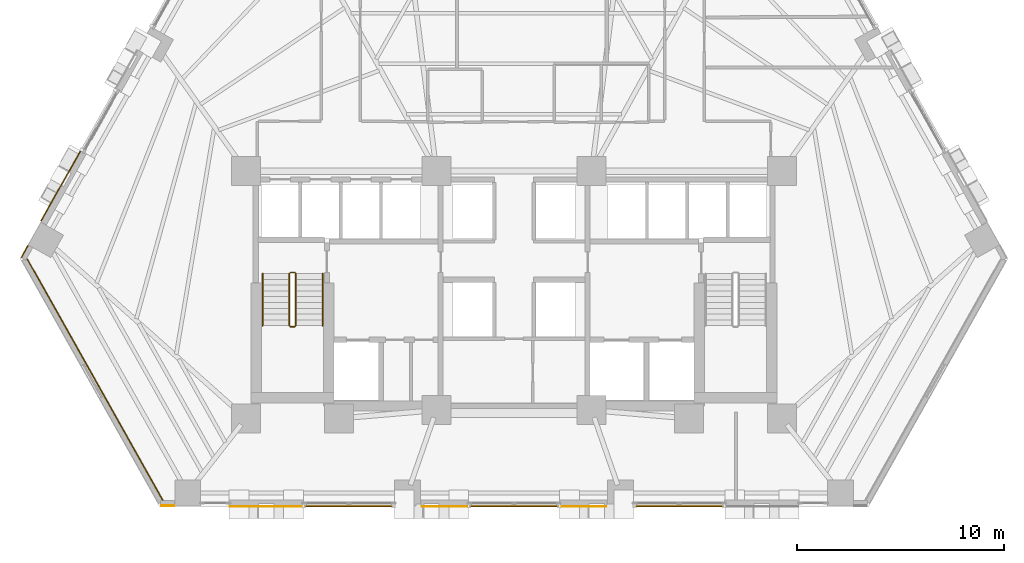
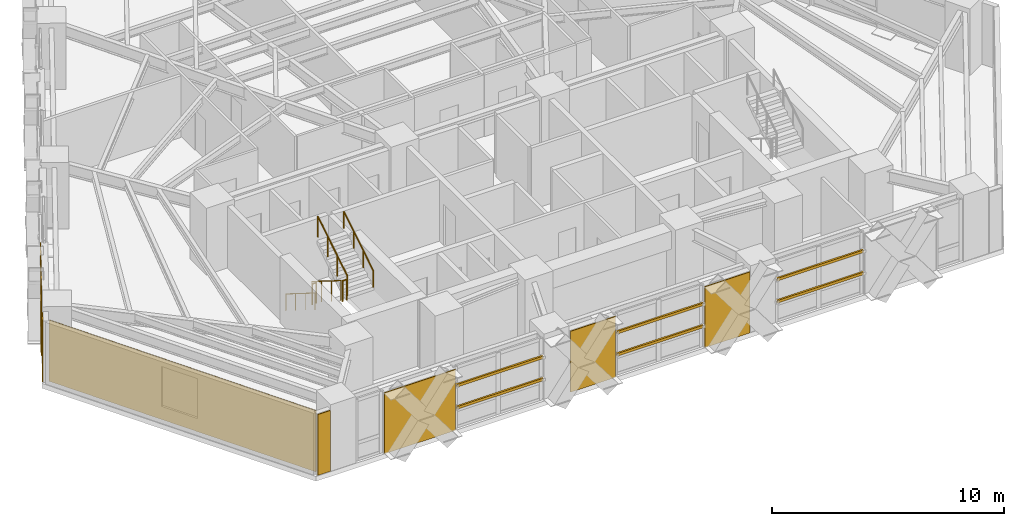
# One storey, part 10 of 13: 7 coverings, 6 railings, 6 shading devices.
"""IFC4 building model written with IfcOpenShell, lengths in metres."""

from ifc_helpers import new_model, si_unit, direction, frame, origin, origin_2d, place, context, subcontext, project, spatial, polyline, rectangle, circle, outline, extrude, material, layer, layer_set, material_profile, profile_set, type_object, element, save


model = new_model("IFC4")

# Units and contexts
model_context = context("Model", 3, precision=1e-05, world=origin(), true_north=direction((0.0, 1.0)))
body_context = subcontext(model_context, "Body", "Model", "MODEL_VIEW")
ifc_project = project(units=[si_unit("LENGTHUNIT", "METRE"), si_unit("AREAUNIT", "SQUARE_METRE"), si_unit("VOLUMEUNIT", "CUBIC_METRE"), si_unit("PLANEANGLEUNIT", "RADIAN"), si_unit("MASSUNIT", "GRAM", prefix="KILO")], contexts=[model_context])

# Site, building, storey
site_placement = place(None, origin())
site = spatial("IfcSite", under=ifc_project, at=site_placement, CompositionType="ELEMENT")
building_placement = place(site_placement, origin())
building = spatial("IfcBuilding", under=site, at=building_placement, Name="Quenlor Broadcast Tower", CompositionType="ELEMENT")
storey_placement = place(building_placement, frame((0.0, 0.0, 62.60009765625)))
storey = spatial("IfcBuildingStorey", under=building, at=storey_placement, Name="L16", CompositionType="ELEMENT", Elevation=62.60009765625)

# Shading devices
ifc_material_1 = material(Name="Architectural Terracotta Ceramic", Category="masonry")
ifc_material_profile = material_profile(ifc_material_1, rectangle(XDim=0.090087890625, YDim=0.139892578125, at=origin_2d()))
ifc_profile_set = profile_set([ifc_material_profile], Name="Architectural Terracotta Ceramic BAG90x140")
shading_device_type = type_object("IfcShadingDeviceType", Name="Copper Terracotta Baguette Solar Screen 140", PredefinedType="USERDEFINED", material=ifc_profile_set)
for number, where, z_axis, x_axis, name in (
    (1, (10.134765625, -20.98291015625, 1.169921875), (-1.0, 0.0, 0.0), (0.0, -1.0, 0.0), "L16 Terracotta Baguette Screen 1"),
    (2, (10.134765625, -20.98291015625, 2.33984375), (-1.0, 0.0, 0.0), (0.0, -1.0, 0.0), "L16 Terracotta Baguette Screen 2"),
    (3, (-5.830810546875, -20.98291015625, 1.169921875), (-1.0, 0.0, 0.0), (0.0, -1.0, 0.0), "L16 Terracotta Baguette Screen 1"),
    (4, (-5.830810546875, -20.98291015625, 2.33984375), (-1.0, 0.0, 0.0), (0.0, -1.0, 0.0), "L16 Terracotta Baguette Screen 2"),
):
    element("IfcShadingDevice", number, at=place(storey_placement, frame(where, z_axis=z_axis, x_axis=x_axis)), inside=storey, type_object=shading_device_type, Name=name, ObjectType="BAGUETTE", PredefinedType="USERDEFINED", context=body_context, shape_type="SweptSolid", body=[
        extrude(rectangle(XDim=0.090087890625, YDim=0.139892578125, at=origin_2d()), origin(), (0.0, 0.0, 1.0), 4.303955078125),
    ])
for number, where, z_axis, x_axis, name in (
    (5, (2.154296875, -20.98291015625, 1.169921875), (-1.0, 0.0, 0.0), (0.0, -1.0, 0.0), "L16 Terracotta Baguette Screen 1"),
    (6, (2.154296875, -20.98291015625, 2.33984375), (-1.0, 0.0, 0.0), (0.0, -1.0, 0.0), "L16 Terracotta Baguette Screen 2"),
):
    element("IfcShadingDevice", number, at=place(storey_placement, frame(where, z_axis=z_axis, x_axis=x_axis)), inside=storey, type_object=shading_device_type, Name=name, ObjectType="BAGUETTE", PredefinedType="USERDEFINED", context=body_context, shape_type="SweptSolid", body=[
        extrude(rectangle(XDim=0.090087890625, YDim=0.139892578125, at=origin_2d()), origin(), (0.0, 0.0, 1.0), 4.30859375),
    ])

# Coverings
ifc_material_2 = material(Name="Architectural Terracotta Ceramic", Category="masonry")
ifc_layer = layer(ifc_material_2, 0.044921875)
ifc_layer_set = layer_set([ifc_layer], Name="Fluted Terracotta Rainscreen Cladding Panel")
covering_type = type_object("IfcCoveringType", Name="Fluted Terracotta Rainscreen Cladding Panel", PredefinedType="CLADDING", material=ifc_layer_set)
covering_1_placement = place(storey_placement, frame((0.0, 0.0, 0.02001953125)))
element("IfcCovering", 7, at=covering_1_placement, inside=storey, type_object=covering_type, Name="L16 Terracotta Rainscreen Cladding L16-SHD-SS1", PredefinedType="CLADDING", context=body_context, shape_type="SweptSolid", body=[
    extrude(outline(polyline([(-16.425048828125, -20.951904296875), (-17.0458984375, -20.951904296875), (-17.0458984375, -20.9970703125), (-16.425048828125, -20.9970703125), (-16.425048828125, -20.951904296875)])), origin(), (0.0, 0.0, 1.0), 3.2099609375),
])
covering_2_placement = place(storey_placement, frame((0.0, 0.0, 0.02001953125)))
element("IfcCovering", 8, at=covering_2_placement, inside=storey, type_object=covering_type, Name="L16 Terracotta Rainscreen Cladding L16-SC-SP1", PredefinedType="CLADDING", context=body_context, shape_type="SweptSolid", body=[
    extrude(outline(polyline([(-10.20458984375, -20.98193359375), (-13.73681640625, -20.98193359375), (-13.73681640625, -21.027099609375), (-10.20458984375, -21.027099609375), (-10.20458984375, -20.98193359375)])), origin(), (0.0, 0.0, 1.0), 3.2099609375),
])
covering_3_placement = place(storey_placement, frame((0.0, 0.0, 0.02001953125)))
element("IfcCovering", 9, at=covering_3_placement, inside=storey, type_object=covering_type, Name="L16 Terracotta Rainscreen Cladding L16-S-SP1", PredefinedType="CLADDING", context=body_context, shape_type="SweptSolid", body=[
    extrude(outline(polyline([(4.4658203125, -20.98193359375), (2.22412109375, -20.98193359375), (2.22412109375, -21.027099609375), (4.4658203125, -21.027099609375), (4.4658203125, -20.98193359375)])), origin(), (0.0, 0.0, 1.0), 3.2099609375),
])
covering_4_placement = place(storey_placement, frame((0.0, 0.0, 0.02001953125)))
element("IfcCovering", 10, at=covering_4_placement, inside=storey, type_object=covering_type, Name="L16 Terracotta Rainscreen Cladding L16-S-SP2", PredefinedType="CLADDING", context=body_context, shape_type="SweptSolid", body=[
    extrude(outline(polyline([(-2.22412109375, -20.98193359375), (-4.4658203125, -20.98193359375), (-4.4658203125, -21.027099609375), (-2.22412109375, -21.027099609375), (-2.22412109375, -20.98193359375)])), origin(), (0.0, 0.0, 1.0), 3.2099609375),
])
covering_5_placement = place(storey_placement, frame((0.0, 0.0, 0.02001953125)))
element("IfcCovering", 11, at=covering_5_placement, inside=storey, type_object=covering_type, Name="L16 Terracotta Rainscreen Cladding L16-SHD-NWS0", PredefinedType="CLADDING", context=body_context, shape_type="SweptSolid", body=[
    extrude(outline(polyline([(-23.781982421875, -8.97705078125), (-23.464111328125, -8.412109375), (-23.50341796875, -8.39013671875), (-23.8212890625, -8.955078125), (-23.781982421875, -8.97705078125)])), origin(), (0.0, 0.0, 1.0), 3.2099609375),
])
covering_6_placement = place(storey_placement, frame((0.0, 0.0, 0.02001953125)))
element("IfcCovering", 12, at=covering_6_placement, inside=storey, type_object=covering_type, Name="L16 Terracotta Rainscreen Cladding L16-NWA-SP1", PredefinedType="CLADDING", context=body_context, shape_type="SweptSolid", body=[
    extrude(outline(polyline([(-22.83349609375, -7.2294921875), (-20.9228515625, -3.8330078125), (-20.962158203125, -3.81103515625), (-22.872802734375, -7.20751953125), (-22.83349609375, -7.2294921875)])), origin(), (0.0, 0.0, 1.0), 3.2099609375),
])
covering_7_placement = place(storey_placement, frame((0.0, 0.0, 0.02001953125)))
element("IfcCovering", 13, at=covering_7_placement, inside=storey, type_object=covering_type, Name="L16 Terracotta Rainscreen Cladding L16-CNR-04", PredefinedType="CLADDING", context=body_context, shape_type="SweptSolid", body=[
    extrude(outline(polyline([(-23.547607421875, -9.046875), (-16.98388671875, -20.71533203125), (-16.94482421875, -20.693359375), (-23.50830078125, -9.02490234375), (-23.547607421875, -9.046875)])), origin(), (0.0, 0.0, 1.0), 3.2099609375),
])

# Railings
ifc_material_3 = material(Name="Anodised Aluminium", Category="aluminium")
railing_type_1 = type_object("IfcRailingType", Name="Stainless Aluminium Wall Handrail 900", PredefinedType="HANDRAIL", material=ifc_material_3)
railing_1_placement = place(storey_placement, frame((-12.14990234375, -9.75, 0.1748046875)))
element("IfcRailing", 14, at=railing_1_placement, inside=storey, type_object=railing_type_1, Name="L16 ST-1 stair handrail 1", PredefinedType="HANDRAIL", context=body_context, shape_type="SweptSolid", body=[
    extrude(circle(Radius=0.02392578125, at=origin_2d()), frame((0.0, 0.0, 0.8759765625), z_axis=(0.0, -0.847970611238, 0.530043245855), x_axis=(1.0, 0.0, 0.0)), (0.0, 0.0, 1.0), 2.971923828125),
    extrude(circle(Radius=0.02099609375, at=origin_2d()), origin(), (0.0, 0.0, 1.0), 0.851806640625),
    extrude(circle(Radius=0.02099609375, at=origin_2d()), frame((0.0, -0.840087890625, 0.525146484375)), (0.0, 0.0, 1.0), 0.851806640625),
    extrude(circle(Radius=0.02099609375, at=origin_2d()), frame((0.0, -1.679931640625, 1.050048828125)), (0.0, 0.0, 1.0), 0.851806640625),
    extrude(circle(Radius=0.02099609375, at=origin_2d()), frame((0.0, -2.52001953125, 1.5751953125)), (0.0, 0.0, 1.0), 0.851806640625),
])
railing_2_placement = place(storey_placement, frame((-9.25, -12.27001953125, 1.9248046875)))
element("IfcRailing", 15, at=railing_2_placement, inside=storey, type_object=railing_type_1, Name="L16 ST-1 stair handrail 2", PredefinedType="HANDRAIL", context=body_context, shape_type="SweptSolid", body=[
    extrude(circle(Radius=0.02392578125, at=origin_2d()), frame((0.0, 0.0, 0.8759765625), z_axis=(0.0, 0.847970611238, 0.530043245855), x_axis=(-1.0, 0.0, 0.0)), (0.0, 0.0, 1.0), 2.971923828125),
    extrude(circle(Radius=0.02099609375, at=origin_2d()), origin(), (0.0, 0.0, 1.0), 0.851806640625),
    extrude(circle(Radius=0.02099609375, at=origin_2d()), frame((0.0, 0.840087890625, 0.525146484375)), (0.0, 0.0, 1.0), 0.851806640625),
    extrude(circle(Radius=0.02099609375, at=origin_2d()), frame((0.0, 1.679931640625, 1.050048828125)), (0.0, 0.0, 1.0), 0.851806640625),
    extrude(circle(Radius=0.02099609375, at=origin_2d()), frame((0.0, 2.52001953125, 1.5751953125)), (0.0, 0.0, 1.0), 0.851806640625),
])
ifc_material_4 = material(Name="Steel S355", Category="steel")
railing_type_2 = type_object("IfcRailingType", Name="Tubular Steel S355 Stair Guardrail 1100", PredefinedType="BALUSTRADE", material=ifc_material_4)
railing_3_placement = place(storey_placement, frame((-10.85009765625, -9.75, 0.1748046875)))
element("IfcRailing", 16, at=railing_3_placement, inside=storey, type_object=railing_type_2, Name="L16 ST-1 stair guard 1", PredefinedType="BALUSTRADE", context=body_context, shape_type="SweptSolid", body=[
    extrude(circle(Radius=0.02392578125, at=origin_2d()), frame((0.0, 0.0, 1.076171875), z_axis=(0.0, -0.847970611238, 0.530043245855), x_axis=(1.0, 0.0, 0.0)), (0.0, 0.0, 1.0), 2.971923828125),
    extrude(circle(Radius=0.02099609375, at=origin_2d()), origin(), (0.0, 0.0, 1.0), 1.052001953125),
    extrude(circle(Radius=0.02099609375, at=origin_2d()), frame((0.0, -0.840087890625, 0.525146484375)), (0.0, 0.0, 1.0), 1.052001953125),
    extrude(circle(Radius=0.02099609375, at=origin_2d()), frame((0.0, -1.679931640625, 1.050048828125)), (0.0, 0.0, 1.0), 1.052001953125),
    extrude(circle(Radius=0.02099609375, at=origin_2d()), frame((0.0, -2.52001953125, 1.5751953125)), (0.0, 0.0, 1.0), 1.052001953125),
])
railing_4_placement = place(storey_placement, frame((-10.800048828125, -12.320068359375, 1.75)))
element("IfcRailing", 17, at=railing_4_placement, inside=storey, type_object=railing_type_2, Name="L16 ST-1 stair guard 2", PredefinedType="BALUSTRADE", context=body_context, shape_type="SweptSolid", body=[
    extrude(circle(Radius=0.02392578125, at=origin_2d()), frame((0.0, 0.0, 1.076171875), z_axis=(1.0, 0.0, 0.0), x_axis=(0.0, 1.0, 0.0)), (0.0, 0.0, 1.0), 0.199951171875),
    extrude(circle(Radius=0.02099609375, at=origin_2d()), origin(), (0.0, 0.0, 1.0), 1.052001953125),
    extrude(circle(Radius=0.02099609375, at=origin_2d()), frame((0.199951171875, 0.0, 0.0)), (0.0, 0.0, 1.0), 1.052001953125),
])
railing_5_placement = place(storey_placement, frame((-10.550048828125, -12.27001953125, 1.9248046875)))
element("IfcRailing", 18, at=railing_5_placement, inside=storey, type_object=railing_type_2, Name="L16 ST-1 stair guard 3", PredefinedType="BALUSTRADE", context=body_context, shape_type="SweptSolid", body=[
    extrude(circle(Radius=0.02392578125, at=origin_2d()), frame((0.0, 0.0, 1.076171875), z_axis=(0.0, 0.847970611238, 0.530043245855), x_axis=(-1.0, 0.0, 0.0)), (0.0, 0.0, 1.0), 2.971923828125),
    extrude(circle(Radius=0.02099609375, at=origin_2d()), origin(), (0.0, 0.0, 1.0), 1.052001953125),
    extrude(circle(Radius=0.02099609375, at=origin_2d()), frame((0.0, 0.840087890625, 0.525146484375)), (0.0, 0.0, 1.0), 1.052001953125),
    extrude(circle(Radius=0.02099609375, at=origin_2d()), frame((0.0, 1.679931640625, 1.050048828125)), (0.0, 0.0, 1.0), 1.052001953125),
    extrude(circle(Radius=0.02099609375, at=origin_2d()), frame((0.0, 2.52001953125, 1.5751953125)), (0.0, 0.0, 1.0), 1.052001953125),
])
railing_6_placement = place(storey_placement, frame((-10.800048828125, -9.699951171875, 0.0)))
element("IfcRailing", 19, at=railing_6_placement, inside=storey, type_object=railing_type_2, Name="L16 ST-1 stair guard 4", PredefinedType="BALUSTRADE", context=body_context, shape_type="SweptSolid", body=[
    extrude(circle(Radius=0.02392578125, at=origin_2d()), frame((0.0, 0.0, 1.076171875), z_axis=(1.0, 0.0, 0.0), x_axis=(0.0, 1.0, 0.0)), (0.0, 0.0, 1.0), 0.199951171875),
    extrude(circle(Radius=0.02099609375, at=origin_2d()), origin(), (0.0, 0.0, 1.0), 1.052001953125),
    extrude(circle(Radius=0.02099609375, at=origin_2d()), frame((0.199951171875, 0.0, 0.0)), (0.0, 0.0, 1.0), 1.052001953125),
])

save(model, "model.ifc")
